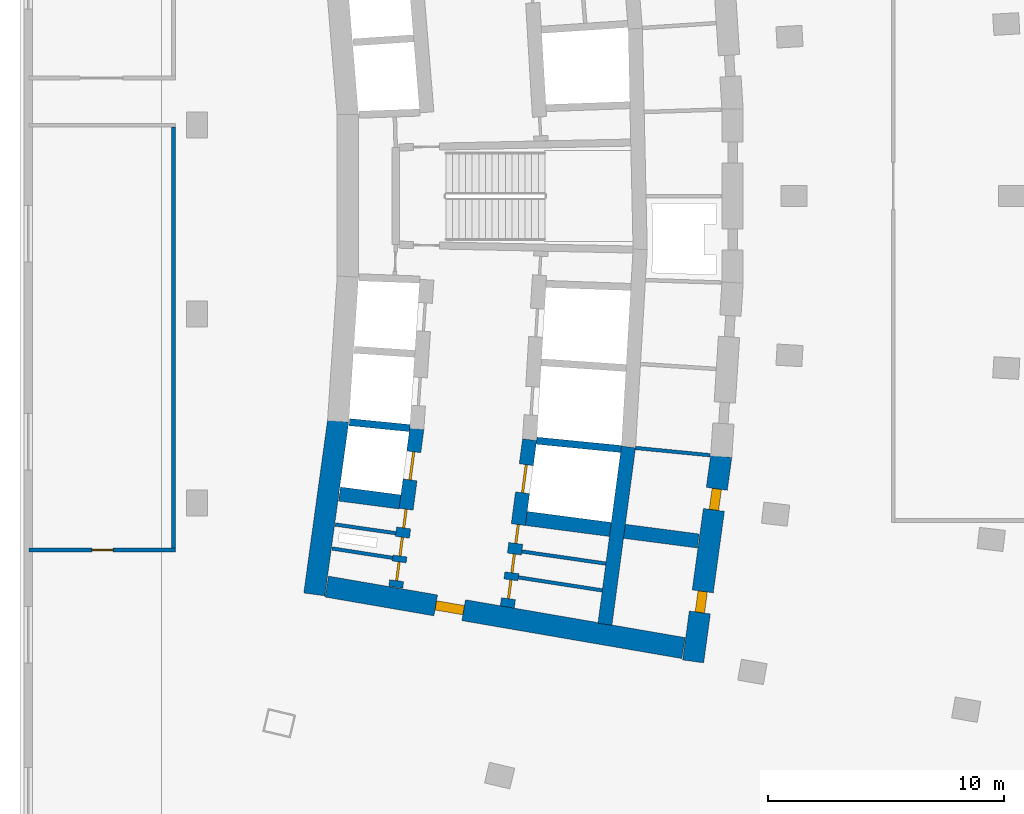
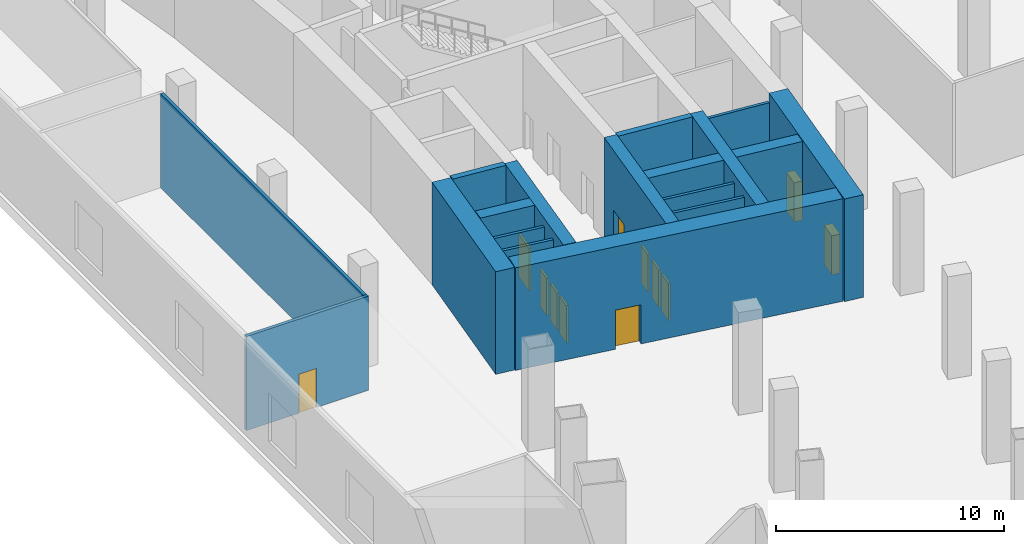
# One storey, part 11 of 26: 18 walls, 12 doors, 12 openings.
"""IFC4 building model written with IfcOpenShell, lengths in metres."""

from ifc_helpers import new_model, si_unit, direction, frame, frame_2d, origin, place, context, subcontext, project, spatial, rectangle, extrude, material, layer, layer_set, type_object, element, fill, save


model = new_model("IFC4")

# Units and contexts
model_context = context("Model", 3, precision=1e-05, world=origin(), true_north=direction((0.0, 1.0)))
body_context = subcontext(model_context, "Body", "Model", "MODEL_VIEW")
ifc_project = project(units=[si_unit("LENGTHUNIT", "METRE"), si_unit("AREAUNIT", "SQUARE_METRE"), si_unit("VOLUMEUNIT", "CUBIC_METRE"), si_unit("PLANEANGLEUNIT", "RADIAN"), si_unit("MASSUNIT", "GRAM", prefix="KILO")], contexts=[model_context])

# Site, building, storey
site_placement = place(None, origin())
site = spatial("IfcSite", under=ifc_project, at=site_placement, CompositionType="ELEMENT")
building_placement = place(site_placement, origin())
building = spatial("IfcBuilding", under=site, at=building_placement, Name="Alderwake Tower", CompositionType="ELEMENT")
storey_placement = place(building_placement, frame((0.0, 0.0, 8.0)))
storey = spatial("IfcBuildingStorey", under=building, at=storey_placement, Name="L01", CompositionType="ELEMENT", Elevation=8.0)

# Walls
ifc_material_1 = material(Name="Gypsum shaft wall system, rated")
ifc_layer_1 = layer(ifc_material_1, 0.14990234375)
ifc_layer_set_1 = layer_set([ifc_layer_1], Name="Core room partition 150")
wall_type_1 = type_object("IfcWallType", Name="Core room partition 150", PredefinedType="PARTITIONING", material=ifc_layer_set_1)
wall_1_placement = place(storey_placement, frame((16.2216796875, 46.0673828125, 0.0), z_axis=(0.0, 0.0, 1.0), x_axis=(0.988167260949, -0.153380130356, 0.0)))
element("IfcWall", 1, at=wall_1_placement, inside=storey, type_object=wall_type_1, Name="CW/L01/PR-161_+0", PredefinedType="PARTITIONING", context=body_context, shape_type="SweptSolid", body=[
    extrude(rectangle(XDim=2.593017578125, YDim=0.14990234375, at=frame_2d((1.29638671875, 0.0))), origin(), (0.0, 0.0, 1.0), 5.050048828125),
])
wall_2_placement = place(storey_placement, frame((24.117431640625, 44.842041015625, 0.0), z_axis=(0.0, 0.0, 1.0), x_axis=(0.988173903359, -0.153337329832, 0.0)))
element("IfcWall", 2, at=wall_2_placement, inside=storey, type_object=wall_type_1, Name="CW/L01/PR-161_+86", PredefinedType="PARTITIONING", context=body_context, shape_type="SweptSolid", body=[
    extrude(rectangle(XDim=3.5966796875, YDim=0.14990234375, at=frame_2d((1.79833984375, 0.0))), origin(), (0.0, 0.0, 1.0), 5.050048828125),
])
wall_3_placement = place(storey_placement, frame((16.361328125, 47.08203125, 0.0), z_axis=(0.0, 0.0, 1.0), x_axis=(0.989733250733, -0.142926877787, 0.0)))
element("IfcWall", 3, at=wall_3_placement, inside=storey, type_object=wall_type_1, Name="CW/L01/PR-150_+0", PredefinedType="PARTITIONING", context=body_context, shape_type="SweptSolid", body=[
    extrude(rectangle(XDim=2.587890625, YDim=0.14990234375, at=frame_2d((1.2939453125, 0.0))), origin(), (0.0, 0.0, 1.0), 5.050048828125),
])
wall_4_placement = place(storey_placement, frame((24.263916015625, 45.940673828125, 0.0), z_axis=(0.0, 0.0, 1.0), x_axis=(0.989732412963, -0.142932679013, 0.0)))
element("IfcWall", 4, at=wall_4_placement, inside=storey, type_object=wall_type_1, Name="CW/L01/PR-150_+86", PredefinedType="PARTITIONING", context=body_context, shape_type="SweptSolid", body=[
    extrude(rectangle(XDim=3.595458984375, YDim=0.14990234375, at=frame_2d((1.7978515625, 0.0))), origin(), (0.0, 0.0, 1.0), 5.050048828125),
])
wall_5_placement = place(storey_placement, frame((29.0791015625, 50.326416015625, 0.0), z_axis=(0.0, 0.0, 1.0), x_axis=(0.995249181795, -0.097360495766, 0.0)))
element("IfcWall", 5, at=wall_5_placement, inside=storey, type_object=wall_type_1, Name="CW/L01/PR-102_+128", PredefinedType="PARTITIONING", context=body_context, shape_type="SweptSolid", body=[
    extrude(rectangle(XDim=3.169677734375, YDim=0.14990234375, at=frame_2d((1.5849609375, 0.0))), origin(), (0.0, 0.0, 1.0), 5.050048828125),
])
ifc_material_2 = material(Name="Concrete C70/85", Category="concrete")
ifc_layer_2 = layer(ifc_material_2, 0.89990234375)
ifc_layer_set_2 = layer_set([ifc_layer_2], Name="Core wall outer 900 C70-85")
wall_type_2 = type_object("IfcWallType", Name="Core wall outer 900 C70-85", PredefinedType="SHEAR", material=ifc_layer_set_2)
wall_6_placement = place(storey_placement, frame((15.46923828125, 44.1201171875, 0.0), z_axis=(0.0, 0.0, 1.0), x_axis=(0.136337234661, 0.990662484626, 0.0)))
element("IfcWall", 6, at=wall_6_placement, inside=storey, type_object=wall_type_2, Name="Core wall CW.042", PredefinedType="SHEAR", context=body_context, shape_type="SweptSolid", body=[
    extrude(rectangle(XDim=7.431396484375, YDim=0.89990234375, at=frame_2d((3.7158203125, 0.0))), origin(), (0.0, 0.0, 1.0), 5.5),
])

# Wall, openings, doors
wall_7_placement = place(storey_placement, frame((32.7138671875, 49.9873046875, 0.0), z_axis=(0.0, 0.0, 1.0), x_axis=(-0.135844728876, -0.990730139663, 0.0)))
wall_7 = element("IfcWall", 7, at=wall_7_placement, inside=storey, type_object=wall_type_2, Name="Core wall CW.012", PredefinedType="SHEAR", context=body_context, shape_type="SweptSolid", body=[
    extrude(rectangle(XDim=8.78662109375, YDim=0.89990234375, at=frame_2d((4.393310546875, 0.0))), origin(), (0.0, 0.0, 1.0), 5.5),
])
opening_1_placement = place(wall_7_placement, frame((1.40673828125, 0.0, 0.0)))
opening_1 = element("IfcOpeningElement", 8, at=opening_1_placement, cuts=wall_7, Name="Opening C050", PredefinedType="OPENING", context=body_context, shape_type="SweptSolid", body=[
    extrude(rectangle(XDim=0.89990234375, YDim=2.10009765625, at=frame_2d((0.449951171875, 1.050048828125))), frame((0.0, 0.4599609375, 0.0), z_axis=(0.0, -1.0, 0.0), x_axis=(1.0, 0.0, 0.0)), (0.0, 0.0, 1.0), 0.919921875),
])
opening_2_placement = place(wall_7_placement, frame((5.79248046875, 0.0, 0.0)))
opening_2 = element("IfcOpeningElement", 9, at=opening_2_placement, cuts=wall_7, Name="Opening C061", PredefinedType="OPENING", context=body_context, shape_type="SweptSolid", body=[
    extrude(rectangle(XDim=0.89990234375, YDim=2.10009765625, at=frame_2d((0.449951171875, 1.050048828125))), frame((0.0, 0.4599609375, 0.0), z_axis=(0.0, -1.0, 0.0), x_axis=(1.0, 0.0, 0.0)), (0.0, 0.0, 1.0), 0.919921875),
])
ifc_material_3 = material(Name="Painted steel leaf", Category="steel")
door_type_1 = type_object("IfcDoorType", Name="Core room door 900", OperationType="SINGLE_SWING_LEFT", PredefinedType="DOOR", material=ifc_material_3)
door_1_placement = place(opening_1_placement, origin())
door_1 = element("IfcDoor", 10, at=door_1_placement, inside=storey, type_object=door_type_1, Name="Room door", OperationType="SINGLE_SWING_RIGHT", OverallHeight=2.10009765625, OverallWidth=0.89990234375, PredefinedType="DOOR", context=body_context, shape_type="SweptSolid", body=[
    extrude(rectangle(XDim=0.89990234375, YDim=2.10009765625, at=frame_2d((0.449951171875, 1.050048828125))), frame((0.0, 0.199951171875, 0.0), z_axis=(0.0, -1.0, 0.0), x_axis=(1.0, 0.0, 0.0)), (0.0, 0.0, 1.0), 0.39990234375),
])
fill(opening_1, door_1)
door_2_placement = place(opening_2_placement, origin())
door_2 = element("IfcDoor", 11, at=door_2_placement, inside=storey, type_object=door_type_1, Name="Room door", OperationType="SINGLE_SWING_LEFT", OverallHeight=2.10009765625, OverallWidth=0.89990234375, PredefinedType="DOOR", context=body_context, shape_type="SweptSolid", body=[
    extrude(rectangle(XDim=0.89990234375, YDim=2.10009765625, at=frame_2d((0.449951171875, 1.050048828125))), frame((0.0, 0.199951171875, 0.0), z_axis=(0.0, -1.0, 0.0), x_axis=(1.0, 0.0, 0.0)), (0.0, 0.0, 1.0), 0.39990234375),
])
fill(opening_2, door_2)

# Wall, opening, door
wall_8_placement = place(storey_placement, frame((31.11328125, 41.846923828125, 0.0), z_axis=(0.0, 0.0, 1.0), x_axis=(-0.985466640605, 0.169869067972, 0.0)))
wall_8 = element("IfcWall", 12, at=wall_8_placement, inside=storey, type_object=wall_type_2, Name="Core wall CW.070", PredefinedType="SHEAR", context=body_context, shape_type="SweptSolid", body=[
    extrude(rectangle(XDim=15.336669921875, YDim=0.89990234375, at=frame_2d((7.66845703125, 0.0))), origin(), (0.0, 0.0, 1.0), 5.5),
])
opening_3_placement = place(wall_8_placement, frame((9.451904296875, 0.0, 0.0)))
opening_3 = element("IfcOpeningElement", 13, at=opening_3_placement, cuts=wall_8, Name="Opening C003", PredefinedType="OPENING", context=body_context, shape_type="SweptSolid", body=[
    extrude(rectangle(XDim=1.199951171875, YDim=2.10009765625, at=frame_2d((0.60009765625, 1.050048828125))), frame((0.0, 0.4599609375, 0.0), z_axis=(0.0, -1.0, 0.0), x_axis=(1.0, 0.0, 0.0)), (0.0, 0.0, 1.0), 0.919921875),
])
ifc_material_4 = material(Name="Steel-framed fire door leaf", Category="steel")
door_type_2 = type_object("IfcDoorType", Name="Core lobby exit door 1200 fire-rated", OperationType="SINGLE_SWING_LEFT", PredefinedType="DOOR", material=ifc_material_4)
door_3_placement = place(opening_3_placement, origin())
door_3 = element("IfcDoor", 14, at=door_3_placement, inside=storey, type_object=door_type_2, Name="Lobby door", OperationType="SINGLE_SWING_LEFT", OverallHeight=2.10009765625, OverallWidth=1.199951171875, PredefinedType="DOOR", context=body_context, shape_type="SweptSolid", body=[
    extrude(rectangle(XDim=1.199951171875, YDim=2.10009765625, at=frame_2d((0.60009765625, 1.050048828125))), frame((0.0, 0.199951171875, 0.0), z_axis=(0.0, -1.0, 0.0), x_axis=(1.0, 0.0, 0.0)), (0.0, 0.0, 1.0), 0.39990234375),
])
fill(opening_3, door_3)

# Walls
ifc_material_5 = material(Name="Concrete C70/85", Category="concrete")
ifc_layer_3 = layer(ifc_material_5, 0.300048828125)
ifc_layer_set_3 = layer_set([ifc_layer_3], Name="Core wall shaft 300 C70-85")
wall_type_3 = type_object("IfcWallType", Name="Core wall shaft 300 C70-85", PredefinedType="SHEAR", material=ifc_layer_set_3)
wall_9_placement = place(storey_placement, frame((16.9580078125, 51.4189453125, 0.0), z_axis=(0.0, 0.0, 1.0), x_axis=(0.995153154577, -0.098337169657, 0.0)))
element("IfcWall", 15, at=wall_9_placement, inside=storey, type_object=wall_type_3, Name="Core wall CW.065", PredefinedType="SHEAR", context=body_context, shape_type="SweptSolid", body=[
    extrude(rectangle(XDim=2.569580078125, YDim=0.300048828125, at=frame_2d((1.28466796875, 0.0))), origin(), (0.0, 0.0, 1.0), 5.5),
])
wall_10_placement = place(storey_placement, frame((24.889404296875, 50.635009765625, 0.0), z_axis=(0.0, 0.0, 1.0), x_axis=(0.995156121494, -0.098307140396, 0.0)))
element("IfcWall", 16, at=wall_10_placement, inside=storey, type_object=wall_type_3, Name="Core wall CW.066", PredefinedType="SHEAR", context=body_context, shape_type="SweptSolid", body=[
    extrude(rectangle(XDim=3.595947265625, YDim=0.300048828125, at=frame_2d((1.7978515625, 0.0))), origin(), (0.0, 0.0, 1.0), 5.5),
])

# Wall, openings, doors
ifc_material_6 = material(Name="Concrete C70/85", Category="concrete")
ifc_layer_4 = layer(ifc_material_6, 0.60009765625)
ifc_layer_set_4 = layer_set([ifc_layer_4], Name="Core wall spine 600 C70-85")
wall_type_4 = type_object("IfcWallType", Name="Core wall spine 600 C70-85", PredefinedType="SHEAR", material=ifc_layer_set_4)
wall_11_placement = place(storey_placement, frame((19.815185546875, 51.14697265625, 0.0), z_axis=(0.0, 0.0, 1.0), x_axis=(-0.131854836214, -0.991269036219, 0.0)))
wall_11 = element("IfcWall", 17, at=wall_11_placement, inside=storey, type_object=wall_type_4, Name="Core wall CW.033", PredefinedType="SHEAR", context=body_context, shape_type="SweptSolid", body=[
    extrude(rectangle(XDim=6.782470703125, YDim=0.60009765625, at=frame_2d((3.39111328125, 0.0))), origin(), (0.0, 0.0, 1.0), 5.5),
])
opening_4_placement = place(wall_11_placement, frame((0.9921875, 0.0, 0.0)))
opening_4 = element("IfcOpeningElement", 18, at=opening_4_placement, cuts=wall_11, Name="Opening LD-LP1", PredefinedType="OPENING", context=body_context, shape_type="SweptSolid", body=[
    extrude(rectangle(XDim=1.199951171875, YDim=2.300048828125, at=frame_2d((0.60009765625, 1.14990234375))), frame((0.0, 0.31005859375, 0.0), z_axis=(0.0, -1.0, 0.0), x_axis=(1.0, 0.0, 0.0)), (0.0, 0.0, 1.0), 0.6201171875),
])
opening_5_placement = place(wall_11_placement, frame((5.699951171875, 0.0, 0.0)))
opening_5 = element("IfcOpeningElement", 19, at=opening_5_placement, cuts=wall_11, Name="Opening C009", PredefinedType="OPENING", context=body_context, shape_type="SweptSolid", body=[
    extrude(rectangle(XDim=0.800048828125, YDim=2.0, at=frame_2d((0.39990234375, 1.0))), frame((0.0, 0.31005859375, 0.0), z_axis=(0.0, -1.0, 0.0), x_axis=(1.0, 0.0, 0.0)), (0.0, 0.0, 1.0), 0.6201171875),
])
opening_6_placement = place(wall_11_placement, frame((4.64501953125, 0.0, 0.0)))
opening_6 = element("IfcOpeningElement", 20, at=opening_6_placement, cuts=wall_11, Name="Opening C011", PredefinedType="OPENING", context=body_context, shape_type="SweptSolid", body=[
    extrude(rectangle(XDim=0.800048828125, YDim=2.0, at=frame_2d((0.39990234375, 1.0))), frame((0.0, 0.31005859375, 0.0), z_axis=(0.0, -1.0, 0.0), x_axis=(1.0, 0.0, 0.0)), (0.0, 0.0, 1.0), 0.6201171875),
])
opening_7_placement = place(wall_11_placement, frame((3.4462890625, 0.0, 0.0)))
opening_7 = element("IfcOpeningElement", 21, at=opening_7_placement, cuts=wall_11, Name="Opening C012", PredefinedType="OPENING", context=body_context, shape_type="SweptSolid", body=[
    extrude(rectangle(XDim=0.800048828125, YDim=2.0, at=frame_2d((0.39990234375, 1.0))), frame((0.0, 0.31005859375, 0.0), z_axis=(0.0, -1.0, 0.0), x_axis=(1.0, 0.0, 0.0)), (0.0, 0.0, 1.0), 0.6201171875),
])
ifc_material_7 = material(Name="Stainless steel sliding leaf", Category="steel")
door_type_3 = type_object("IfcDoorType", Name="Lift landing door 1200", OperationType="SLIDING_TO_LEFT", PredefinedType="DOOR", material=ifc_material_7)
door_4_placement = place(opening_4_placement, origin())
door_4 = element("IfcDoor", 22, at=door_4_placement, inside=storey, type_object=door_type_3, Name="Lift landing door LP1", OperationType="SLIDING_TO_LEFT", OverallHeight=2.300048828125, OverallWidth=1.199951171875, PredefinedType="DOOR", context=body_context, shape_type="SweptSolid", body=[
    extrude(rectangle(XDim=1.199951171875, YDim=2.300048828125, at=frame_2d((0.60009765625, 1.14990234375))), frame((0.0, 0.050048828125, 0.0), z_axis=(0.0, -1.0, 0.0), x_axis=(1.0, 0.0, 0.0)), (0.0, 0.0, 1.0), 0.10009765625),
])
fill(opening_4, door_4)
ifc_material_8 = material(Name="Painted steel leaf, rated", Category="steel")
door_type_4 = type_object("IfcDoorType", Name="Riser access door 800", OperationType="SINGLE_SWING_LEFT", PredefinedType="DOOR", material=ifc_material_8)
door_5_placement = place(opening_5_placement, origin())
door_5 = element("IfcDoor", 23, at=door_5_placement, inside=storey, type_object=door_type_4, Name="Riser access door", OperationType="SINGLE_SWING_LEFT", OverallHeight=2.0, OverallWidth=0.800048828125, PredefinedType="DOOR", context=body_context, shape_type="SweptSolid", body=[
    extrude(rectangle(XDim=0.800048828125, YDim=2.0, at=frame_2d((0.39990234375, 1.0))), frame((0.0, 0.050048828125, 0.0), z_axis=(0.0, -1.0, 0.0), x_axis=(1.0, 0.0, 0.0)), (0.0, 0.0, 1.0), 0.10009765625),
])
fill(opening_5, door_5)
door_6_placement = place(opening_6_placement, origin())
door_6 = element("IfcDoor", 24, at=door_6_placement, inside=storey, type_object=door_type_4, Name="Riser access door", OperationType="SINGLE_SWING_RIGHT", OverallHeight=2.0, OverallWidth=0.800048828125, PredefinedType="DOOR", context=body_context, shape_type="SweptSolid", body=[
    extrude(rectangle(XDim=0.800048828125, YDim=2.0, at=frame_2d((0.39990234375, 1.0))), frame((0.0, 0.050048828125, 0.0), z_axis=(0.0, -1.0, 0.0), x_axis=(1.0, 0.0, 0.0)), (0.0, 0.0, 1.0), 0.10009765625),
])
fill(opening_6, door_6)
door_7_placement = place(opening_7_placement, origin())
door_7 = element("IfcDoor", 25, at=door_7_placement, inside=storey, type_object=door_type_4, Name="Riser access door", OperationType="SINGLE_SWING_LEFT", OverallHeight=2.0, OverallWidth=0.800048828125, PredefinedType="DOOR", context=body_context, shape_type="SweptSolid", body=[
    extrude(rectangle(XDim=0.800048828125, YDim=2.0, at=frame_2d((0.39990234375, 1.0))), frame((0.0, 0.050048828125, 0.0), z_axis=(0.0, -1.0, 0.0), x_axis=(1.0, 0.0, 0.0)), (0.0, 0.0, 1.0), 0.10009765625),
])
fill(opening_7, door_7)

wall_12_placement = place(storey_placement, frame((23.647705078125, 43.588134765625, 0.0), z_axis=(0.0, 0.0, 1.0), x_axis=(0.132069785658, 0.991240420744, 0.0)))
wall_12 = element("IfcWall", 26, at=wall_12_placement, inside=storey, type_object=wall_type_4, Name="Core wall CW.047", PredefinedType="SHEAR", context=body_context, shape_type="SweptSolid", body=[
    extrude(rectangle(XDim=7.150390625, YDim=0.60009765625, at=frame_2d((3.5751953125, 0.0))), origin(), (0.0, 0.0, 1.0), 5.5),
])
opening_8_placement = place(wall_12_placement, frame((4.88134765625, 0.0, 0.0)))
opening_8 = element("IfcOpeningElement", 27, at=opening_8_placement, cuts=wall_12, Name="Opening LD-LP4", PredefinedType="OPENING", context=body_context, shape_type="SweptSolid", body=[
    extrude(rectangle(XDim=1.199951171875, YDim=2.300048828125, at=frame_2d((0.60009765625, 1.14990234375))), frame((0.0, 0.31005859375, 0.0), z_axis=(0.0, -1.0, 0.0), x_axis=(1.0, 0.0, 0.0)), (0.0, 0.0, 1.0), 0.6201171875),
])
opening_9_placement = place(wall_12_placement, frame((0.35791015625, 0.0, 0.0)))
opening_9 = element("IfcOpeningElement", 28, at=opening_9_placement, cuts=wall_12, Name="Opening C016", PredefinedType="OPENING", context=body_context, shape_type="SweptSolid", body=[
    extrude(rectangle(XDim=0.800048828125, YDim=2.0, at=frame_2d((0.39990234375, 1.0))), frame((0.0, 0.31005859375, 0.0), z_axis=(0.0, -1.0, 0.0), x_axis=(1.0, 0.0, 0.0)), (0.0, 0.0, 1.0), 0.6201171875),
])
opening_10_placement = place(wall_12_placement, frame((1.46337890625, 0.0, 0.0)))
opening_10 = element("IfcOpeningElement", 29, at=opening_10_placement, cuts=wall_12, Name="Opening C018", PredefinedType="OPENING", context=body_context, shape_type="SweptSolid", body=[
    extrude(rectangle(XDim=0.800048828125, YDim=2.0, at=frame_2d((0.39990234375, 1.0))), frame((0.0, 0.31005859375, 0.0), z_axis=(0.0, -1.0, 0.0), x_axis=(1.0, 0.0, 0.0)), (0.0, 0.0, 1.0), 0.6201171875),
])
opening_11_placement = place(wall_12_placement, frame((2.719482421875, 0.0, 0.0)))
opening_11 = element("IfcOpeningElement", 30, at=opening_11_placement, cuts=wall_12, Name="Opening C019", PredefinedType="OPENING", context=body_context, shape_type="SweptSolid", body=[
    extrude(rectangle(XDim=0.800048828125, YDim=2.0, at=frame_2d((0.39990234375, 1.0))), frame((0.0, 0.31005859375, 0.0), z_axis=(0.0, -1.0, 0.0), x_axis=(1.0, 0.0, 0.0)), (0.0, 0.0, 1.0), 0.6201171875),
])
door_8_placement = place(opening_8_placement, origin())
door_8 = element("IfcDoor", 31, at=door_8_placement, inside=storey, type_object=door_type_3, Name="Lift landing door LP4", OperationType="SLIDING_TO_LEFT", OverallHeight=2.300048828125, OverallWidth=1.199951171875, PredefinedType="DOOR", context=body_context, shape_type="SweptSolid", body=[
    extrude(rectangle(XDim=1.199951171875, YDim=2.300048828125, at=frame_2d((0.60009765625, 1.14990234375))), frame((0.0, 0.050048828125, 0.0), z_axis=(0.0, -1.0, 0.0), x_axis=(1.0, 0.0, 0.0)), (0.0, 0.0, 1.0), 0.10009765625),
])
fill(opening_8, door_8)
door_9_placement = place(opening_9_placement, origin())
door_9 = element("IfcDoor", 32, at=door_9_placement, inside=storey, type_object=door_type_4, Name="Riser access door", OperationType="SINGLE_SWING_RIGHT", OverallHeight=2.0, OverallWidth=0.800048828125, PredefinedType="DOOR", context=body_context, shape_type="SweptSolid", body=[
    extrude(rectangle(XDim=0.800048828125, YDim=2.0, at=frame_2d((0.39990234375, 1.0))), frame((0.0, 0.050048828125, 0.0), z_axis=(0.0, -1.0, 0.0), x_axis=(1.0, 0.0, 0.0)), (0.0, 0.0, 1.0), 0.10009765625),
])
fill(opening_9, door_9)
door_10_placement = place(opening_10_placement, origin())
door_10 = element("IfcDoor", 33, at=door_10_placement, inside=storey, type_object=door_type_4, Name="Riser access door", OperationType="SINGLE_SWING_LEFT", OverallHeight=2.0, OverallWidth=0.800048828125, PredefinedType="DOOR", context=body_context, shape_type="SweptSolid", body=[
    extrude(rectangle(XDim=0.800048828125, YDim=2.0, at=frame_2d((0.39990234375, 1.0))), frame((0.0, 0.050048828125, 0.0), z_axis=(0.0, -1.0, 0.0), x_axis=(1.0, 0.0, 0.0)), (0.0, 0.0, 1.0), 0.10009765625),
])
fill(opening_10, door_10)
door_11_placement = place(opening_11_placement, origin())
door_11 = element("IfcDoor", 34, at=door_11_placement, inside=storey, type_object=door_type_4, Name="Riser access door", OperationType="SINGLE_SWING_RIGHT", OverallHeight=2.0, OverallWidth=0.800048828125, PredefinedType="DOOR", context=body_context, shape_type="SweptSolid", body=[
    extrude(rectangle(XDim=0.800048828125, YDim=2.0, at=frame_2d((0.39990234375, 1.0))), frame((0.0, 0.050048828125, 0.0), z_axis=(0.0, -1.0, 0.0), x_axis=(1.0, 0.0, 0.0)), (0.0, 0.0, 1.0), 0.10009765625),
])
fill(opening_11, door_11)

# Walls
wall_13_placement = place(storey_placement, frame((27.78369140625, 42.85693359375, 0.0), z_axis=(0.0, 0.0, 1.0), x_axis=(0.131768985664, 0.991280451949, 0.0)))
element("IfcWall", 35, at=wall_13_placement, inside=storey, type_object=wall_type_4, Name="Core wall CW.006", PredefinedType="SHEAR", context=body_context, shape_type="SweptSolid", body=[
    extrude(rectangle(XDim=7.576171875, YDim=0.60009765625, at=frame_2d((3.7880859375, 0.0))), origin(), (0.0, 0.0, 1.0), 5.5),
])
wall_14_placement = place(storey_placement, frame((16.5390625, 48.373291015625, 0.0), z_axis=(0.0, 0.0, 1.0), x_axis=(0.99156081818, -0.129642369037, 0.0)))
element("IfcWall", 36, at=wall_14_placement, inside=storey, type_object=wall_type_4, Name="Core wall CW.067", PredefinedType="SHEAR", context=body_context, shape_type="SweptSolid", body=[
    extrude(rectangle(XDim=2.581787109375, YDim=0.60009765625, at=frame_2d((1.291015625, 0.0))), origin(), (0.0, 0.0, 1.0), 5.5),
])
wall_15_placement = place(storey_placement, frame((24.4501953125, 47.338623046875, 0.0), z_axis=(0.0, 0.0, 1.0), x_axis=(0.99155225032, -0.129707882892, 0.0)))
element("IfcWall", 37, at=wall_15_placement, inside=storey, type_object=wall_type_4, Name="Core wall CW.069", PredefinedType="SHEAR", context=body_context, shape_type="SweptSolid", body=[
    extrude(rectangle(XDim=3.594970703125, YDim=0.60009765625, at=frame_2d((1.79736328125, 0.0))), origin(), (0.0, 0.0, 1.0), 5.5),
])
wall_16_placement = place(storey_placement, frame((28.609619140625, 46.794677734375, 0.0), z_axis=(0.0, 0.0, 1.0), x_axis=(0.991551544298, -0.129713279967, 0.0)))
element("IfcWall", 38, at=wall_16_placement, inside=storey, type_object=wall_type_4, Name="Core wall CW.068", PredefinedType="SHEAR", context=body_context, shape_type="SweptSolid", body=[
    extrude(rectangle(XDim=3.152587890625, YDim=0.60009765625, at=frame_2d((1.576171875, 0.0))), origin(), (0.0, 0.0, 1.0), 5.5),
])

# Wall, opening, door
ifc_material_9 = material(Name="Gypsum board on metal studs, rated")
ifc_layer_5 = layer(ifc_material_9, 0.159912109375)
ifc_layer_set_5 = layer_set([ifc_layer_5], Name="Corridor wall 160")
wall_type_5 = type_object("IfcWallType", Name="Corridor wall 160", PredefinedType="PARTITIONING", material=ifc_layer_set_5)
wall_17_placement = place(storey_placement, frame((9.5810546875, 45.9990234375, 0.0), z_axis=(0.0, 0.0, 1.0), x_axis=(-1.0, 0.0, 0.0)))
wall_17 = element("IfcWall", 39, at=wall_17_placement, inside=storey, type_object=wall_type_5, Name="WL/L01/W32", PredefinedType="PARTITIONING", context=body_context, shape_type="SweptSolid", body=[
    extrude(rectangle(XDim=6.201171875, YDim=0.159912109375, at=frame_2d((3.1005859375, 0.0))), origin(), (0.0, 0.0, 1.0), 5.050048828125),
])
opening_12_placement = place(wall_17_placement, frame((2.631103515625, 0.0, 0.0)))
opening_12 = element("IfcOpeningElement", 40, at=opening_12_placement, cuts=wall_17, Name="Opening L01-10", PredefinedType="OPENING", context=body_context, shape_type="SweptSolid", body=[
    extrude(rectangle(XDim=0.89990234375, YDim=2.10009765625, at=frame_2d((0.449951171875, 1.050048828125))), frame((0.0, 0.08984375, 0.0), z_axis=(0.0, -1.0, 0.0), x_axis=(1.0, 0.0, 0.0)), (0.0, 0.0, 1.0), 0.179931640625),
])
ifc_material_10 = material(Name="Painted timber leaf", Category="wood")
door_type_5 = type_object("IfcDoorType", Name="Room door 900", OperationType="SINGLE_SWING_LEFT", PredefinedType="DOOR", material=ifc_material_10)
door_12_placement = place(opening_12_placement, origin())
door_12 = element("IfcDoor", 41, at=door_12_placement, inside=storey, type_object=door_type_5, Name="DR/L01/10", OperationType="SINGLE_SWING_LEFT", OverallHeight=2.10009765625, OverallWidth=0.89990234375, PredefinedType="DOOR", context=body_context, shape_type="SweptSolid", body=[
    extrude(rectangle(XDim=0.89990234375, YDim=2.10009765625, at=frame_2d((0.449951171875, 1.050048828125))), frame((0.0, 0.02490234375, 0.0), z_axis=(0.0, -1.0, 0.0), x_axis=(1.0, 0.0, 0.0)), (0.0, 0.0, 1.0), 0.050048828125),
])
fill(opening_12, door_12)

# Wall
wall_18_placement = place(storey_placement, frame((9.5009765625, 63.9189453125, 0.0), z_axis=(0.0, 0.0, 1.0), x_axis=(0.0, -1.0, 0.0)))
element("IfcWall", 42, at=wall_18_placement, inside=storey, type_object=wall_type_5, Name="WL/L01/W33", PredefinedType="PARTITIONING", context=body_context, shape_type="SweptSolid", body=[
    extrude(rectangle(XDim=17.83984375, YDim=0.159912109375, at=frame_2d((8.919921875, 0.0))), origin(), (0.0, 0.0, 1.0), 5.050048828125),
])

save(model, "model.ifc")
